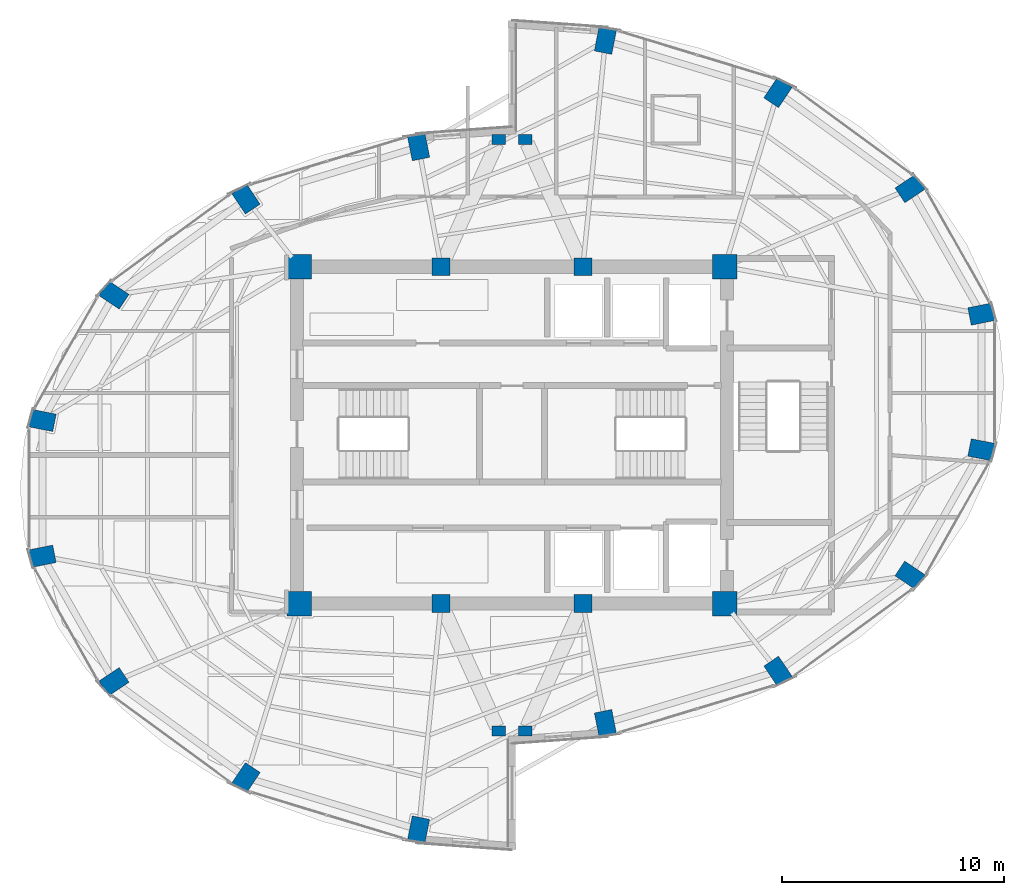
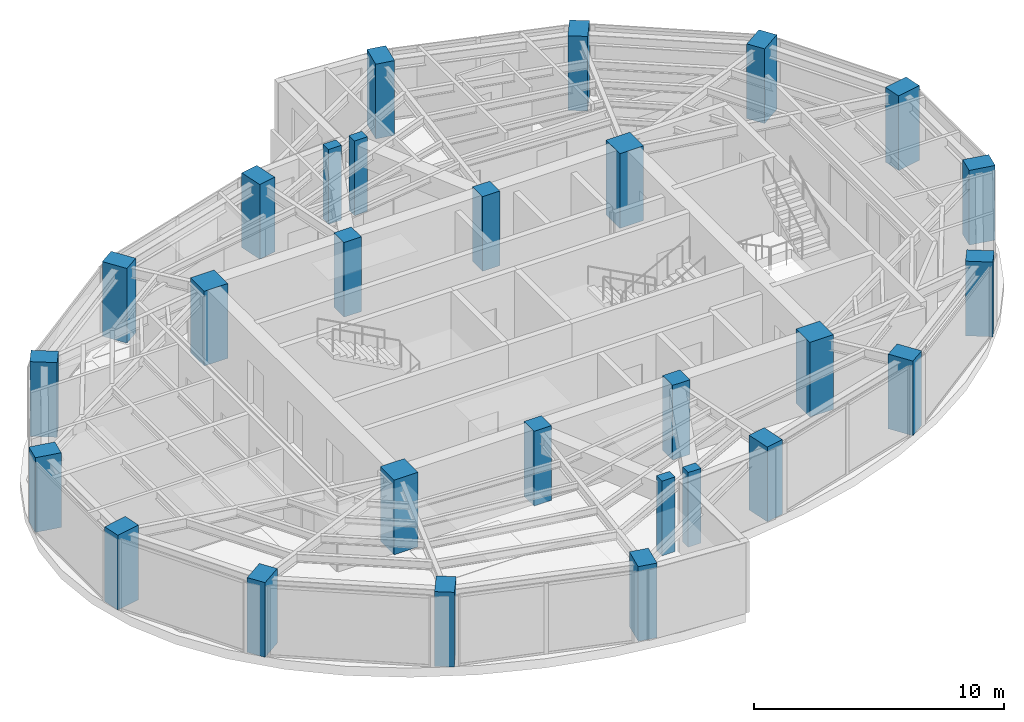
# One storey, part 1 of 23: 28 columns.
"""IFC4 building model written with IfcOpenShell, lengths in metres."""

from ifc_helpers import new_model, si_unit, direction, frame, origin, origin_2d, place, context, subcontext, project, spatial, rectangle, extrude, material, material_profile, profile_set, type_object, element, save


model = new_model("IFC4")

# Units and contexts
model_context = context("Model", 3, precision=1e-05, world=origin(), true_north=direction((0.0, 1.0)))
body_context = subcontext(model_context, "Body", "Model", "MODEL_VIEW")
ifc_project = project(units=[si_unit("LENGTHUNIT", "METRE"), si_unit("AREAUNIT", "SQUARE_METRE"), si_unit("VOLUMEUNIT", "CUBIC_METRE"), si_unit("PLANEANGLEUNIT", "RADIAN"), si_unit("MASSUNIT", "GRAM", prefix="KILO")], contexts=[model_context])

# Site, building, storey
site_placement = place(None, origin())
site = spatial("IfcSite", under=ifc_project, at=site_placement, CompositionType="ELEMENT")
building_placement = place(site_placement, origin())
building = spatial("IfcBuilding", under=site, at=building_placement, Name="Lazwardi Medical Tower", CompositionType="ELEMENT")
storey_placement = place(building_placement, frame((0.0, 0.0, 194.83203125)))
storey = spatial("IfcBuildingStorey", under=building, at=storey_placement, Name="L50", CompositionType="ELEMENT", Elevation=194.83203125)

# Columns
ifc_material_1 = material(Name="Concrete C80/95", Category="concrete")
ifc_material_profile_1 = material_profile(ifc_material_1, rectangle(XDim=1.10009765625, YDim=1.10009765625, at=origin_2d()), Name="RC 1100x1100")
ifc_profile_set_1 = profile_set([ifc_material_profile_1], Name="Concrete C80/95")
column_type_1 = type_object("IfcColumnType", Name="COL-CC-L", PredefinedType="COLUMN", material=ifc_profile_set_1)
for number, where, z_axis, x_axis, name in (
    (1, (26.39990234375, 20.39990234375, 0.0), (0.0, 0.0, 1.0), (1.0, 0.0, 0.0), "Core column CC-01 CC1 L50"),
    (2, (45.60009765625, 20.39990234375, 0.0), (0.0, 0.0, 1.0), (1.0, 0.0, 0.0), "Core column CC-01 CC4 L50"),
    (3, (45.60009765625, 35.60009765625, 0.0), (0.0, 0.0, 1.0), (1.0, 0.0, 0.0), "Core column CC-01 CC5 L50"),
    (4, (26.39990234375, 35.60009765625, 0.0), (0.0, 0.0, 1.0), (1.0, 0.0, 0.0), "Core column CC-01 CC8 L50"),
):
    element("IfcColumn", number, at=place(storey_placement, frame(where, z_axis=z_axis, x_axis=x_axis)), inside=storey, type_object=column_type_1, Name=name, PredefinedType="COLUMN", context=body_context, shape_type="SweptSolid", body=[
        extrude(rectangle(XDim=1.10009765625, YDim=1.10009765625, at=origin_2d()), origin(), (0.0, 0.0, 1.0), 3.64794921875),
    ])
ifc_material_2 = material(Name="Concrete C60/75", Category="concrete")
ifc_material_profile_2 = material_profile(ifc_material_2, rectangle(XDim=0.800048828125, YDim=0.800048828125, at=origin_2d()), Name="RC 800x800")
ifc_profile_set_2 = profile_set([ifc_material_profile_2], Name="Concrete C60/75")
column_type_2 = type_object("IfcColumnType", Name="COL-CC-U", PredefinedType="COLUMN", material=ifc_profile_set_2)
for number, where, z_axis, x_axis, name in (
    (5, (32.800048828125, 20.39990234375, 0.0), (0.0, 0.0, 1.0), (1.0, 0.0, 0.0), "Core column CC-03 CC2 L50"),
    (6, (39.199951171875, 20.39990234375, 0.0), (0.0, 0.0, 1.0), (1.0, 0.0, 0.0), "Core column CC-03 CC3 L50"),
    (7, (39.199951171875, 35.60009765625, 0.0), (0.0, 0.0, 1.0), (1.0, 0.0, 0.0), "Core column CC-03 CC6 L50"),
    (8, (32.800048828125, 35.60009765625, 0.0), (0.0, 0.0, 1.0), (1.0, 0.0, 0.0), "Core column CC-03 CC7 L50"),
):
    element("IfcColumn", number, at=place(storey_placement, frame(where, z_axis=z_axis, x_axis=x_axis)), inside=storey, type_object=column_type_2, Name=name, PredefinedType="COLUMN", context=body_context, shape_type="SweptSolid", body=[
        extrude(rectangle(XDim=0.800048828125, YDim=0.800048828125, at=origin_2d()), origin(), (0.0, 0.0, 1.0), 3.64794921875),
    ])
ifc_material_profile_3 = material_profile(ifc_material_2, rectangle(XDim=1.10009765625, YDim=0.800048828125, at=origin_2d()), Name="CFT-RECT 1100x800")
ifc_profile_set_3 = profile_set([ifc_material_profile_3], Name="Concrete C60/75")
column_type_3 = type_object("IfcColumnType", Name="COL-MC-Z4", PredefinedType="COLUMN", material=ifc_profile_set_3)
for number, where, z_axis, x_axis, name in (
    (9, (40.214111328125, 15.001708984375, 0.0), (0.0, 0.0, 1.0), (0.195090322016, -0.980785280403, 0.0), "Mega column MC-06 M01 L50"),
    (10, (48.000244140625, 17.345947265625, 0.0), (0.0, 0.0, 1.0), (0.55557023302, -0.831469612303, 0.0), "Mega column MC-06 M02 L50"),
    (11, (53.959716796875, 21.677490234375, 0.0), (0.0, 0.0, 1.0), (0.831469612303, -0.55557023302, 0.0), "Mega column MC-06 M03 L50"),
    (12, (57.18505859375, 27.337158203125, 0.0), (0.0, 0.0, 1.0), (0.980785280403, -0.195090322016, 0.0), "Mega column MC-06 M04 L50"),
    (13, (57.18505859375, 33.462890625, 0.0), (0.0, 0.0, 1.0), (0.980785280403, 0.195090322016, 0.0), "Mega column MC-06 M05 L50"),
    (14, (53.959716796875, 39.12255859375, 0.0), (0.0, 0.0, 1.0), (0.831469612303, 0.55557023302, 0.0), "Mega column MC-06 M06 L50"),
    (15, (48.000244140625, 43.4541015625, 0.0), (0.0, 0.0, 1.0), (0.55557023302, 0.831469612303, 0.0), "Mega column MC-06 M07 L50"),
    (16, (40.214111328125, 45.79833984375, 0.0), (0.0, 0.0, 1.0), (0.195090322016, 0.980785280403, 0.0), "Mega column MC-06 M08 L50"),
    (17, (31.785888671875, 40.998291015625, 0.0), (0.0, 0.0, 1.0), (-0.195090322016, 0.980785280403, 0.0), "Mega column MC-06 M09 L50"),
    (18, (23.999755859375, 38.654052734375, 0.0), (0.0, 0.0, 1.0), (-0.55557023302, 0.831469612303, 0.0), "Mega column MC-06 M10 L50"),
    (19, (18.040283203125, 34.322509765625, 0.0), (0.0, 0.0, 1.0), (-0.831469612303, 0.55557023302, 0.0), "Mega column MC-06 M11 L50"),
    (20, (14.81494140625, 28.662841796875, 0.0), (0.0, 0.0, 1.0), (-0.980785280403, 0.195090322016, 0.0), "Mega column MC-06 M12 L50"),
    (21, (14.81494140625, 22.537109375, 0.0), (0.0, 0.0, 1.0), (-0.980785280403, -0.195090322016, 0.0), "Mega column MC-06 M13 L50"),
    (22, (18.040283203125, 16.87744140625, 0.0), (0.0, 0.0, 1.0), (-0.831469612303, -0.55557023302, 0.0), "Mega column MC-06 M14 L50"),
    (23, (23.999755859375, 12.5458984375, 0.0), (0.0, 0.0, 1.0), (-0.55557023302, -0.831469612303, 0.0), "Mega column MC-06 M15 L50"),
    (24, (31.785888671875, 10.20166015625, 0.0), (0.0, 0.0, 1.0), (-0.195090322016, -0.980785280403, 0.0), "Mega column MC-06 M16 L50"),
):
    element("IfcColumn", number, at=place(storey_placement, frame(where, z_axis=z_axis, x_axis=x_axis)), inside=storey, type_object=column_type_3, Name=name, PredefinedType="COLUMN", context=body_context, shape_type="SweptSolid", body=[
        extrude(rectangle(XDim=1.10009765625, YDim=0.800048828125, at=origin_2d()), origin(), (0.0, 0.0, 1.0), 3.64794921875),
    ])
ifc_material_profile_4 = material_profile(ifc_material_2, rectangle(XDim=0.60009765625, YDim=0.449951171875, at=origin_2d()), Name="RC 600x450")
ifc_profile_set_4 = profile_set([ifc_material_profile_4], Name="Concrete C60/75")
column_type_4 = type_object("IfcColumnType", Name="COL-PL-IW", PredefinedType="PILASTER", material=ifc_profile_set_4)
for number, where, z_axis, x_axis, name in (
    (25, (35.39990234375, 41.35009765625, 0.0), (0.0, 0.0, 1.0), (1.0, 0.0, 0.0), "Iwan pilaster column PL-C1 PL1 L50"),
    (26, (36.60009765625, 41.35009765625, 0.0), (0.0, 0.0, 1.0), (1.0, 0.0, 0.0), "Iwan pilaster column PL-C1 PL2 L50"),
    (27, (35.39990234375, 14.64990234375, 0.0), (0.0, 0.0, 1.0), (1.0, 0.0, 0.0), "Iwan pilaster column PL-C1 PL3 L50"),
    (28, (36.60009765625, 14.64990234375, 0.0), (0.0, 0.0, 1.0), (1.0, 0.0, 0.0), "Iwan pilaster column PL-C1 PL4 L50"),
):
    element("IfcColumn", number, at=place(storey_placement, frame(where, z_axis=z_axis, x_axis=x_axis)), inside=storey, type_object=column_type_4, Name=name, PredefinedType="PILASTER", context=body_context, shape_type="SweptSolid", body=[
        extrude(rectangle(XDim=0.60009765625, YDim=0.449951171875, at=origin_2d()), origin(), (0.0, 0.0, 1.0), 3.64794921875),
    ])

save(model, "model.ifc")
